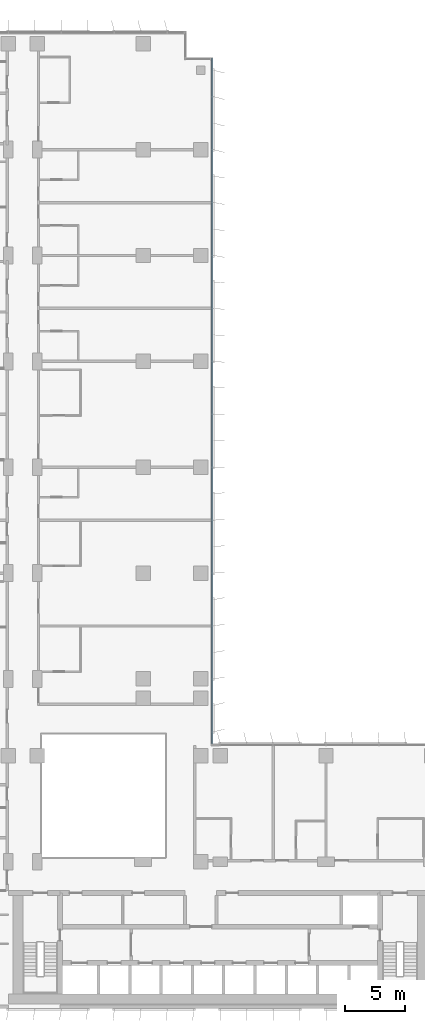
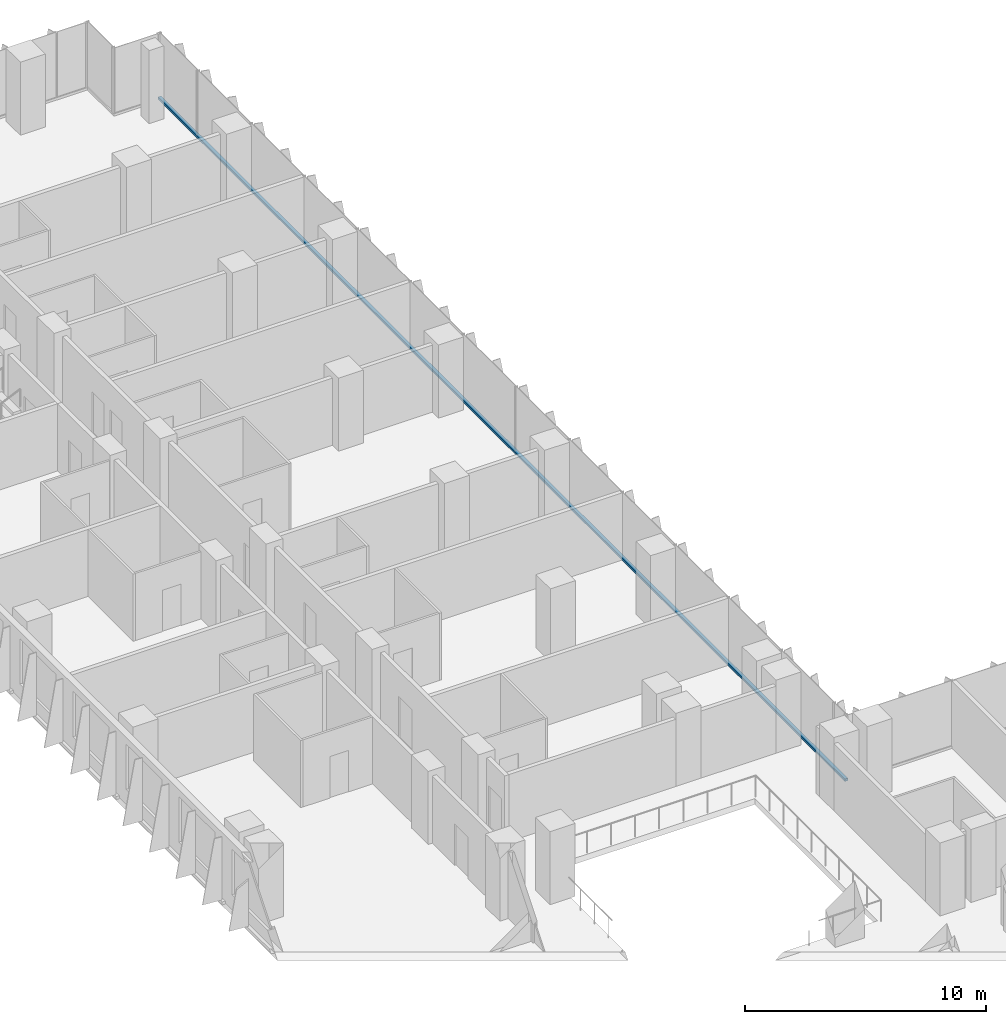
# One storey, part 6 of 22: 1 member, 1 element without a shape of its own.
"""IFC4 building model written with IfcOpenShell, lengths in metres."""

from ifc_helpers import new_model, si_unit, direction, frame, origin, origin_2d, place, context, subcontext, project, spatial, rectangle, extrude, material, material_profile, profile_set, type_object, element, aggregate, save


model = new_model("IFC4")

# Units and contexts
model_context = context("Model", 3, precision=1e-05, world=origin(), true_north=direction((0.0, 1.0)))
body_context = subcontext(model_context, "Body", "Model", "MODEL_VIEW")
ifc_project = project(units=[si_unit("LENGTHUNIT", "METRE"), si_unit("AREAUNIT", "SQUARE_METRE"), si_unit("VOLUMEUNIT", "CUBIC_METRE"), si_unit("PLANEANGLEUNIT", "RADIAN"), si_unit("MASSUNIT", "GRAM", prefix="KILO")], contexts=[model_context])

# Site, building, storey
site_placement = place(None, origin())
site = spatial("IfcSite", under=ifc_project, at=site_placement, CompositionType="ELEMENT")
building_placement = place(site_placement, origin())
building = spatial("IfcBuilding", under=site, at=building_placement, Name="Kemantara Hotel Tower", CompositionType="ELEMENT")
storey_placement = place(building_placement, frame((0.0, 0.0, 90.800048828125)))
storey = spatial("IfcBuildingStorey", under=building, at=storey_placement, Name="L21", CompositionType="ELEMENT", Elevation=90.800048828125)

# Curtain wall, member
ifc_material_1 = material(Name="Low-E tinted double insulated glass 36 mm", Category="glass")
curtain_wall_type = type_object("IfcCurtainWallType", Name="TOWER CURTAIN WALL, FRONT FACES", PredefinedType="USERDEFINED", material=ifc_material_1)
curtain_wall_placement = place(storey_placement, origin())
curtain_wall = element("IfcCurtainWall", 1, at=curtain_wall_placement, inside=storey, type_object=curtain_wall_type, Name="CW4 L21 T2-R14-1", ObjectType="TOWER CURTAIN WALL, FRONT FACES", PredefinedType="USERDEFINED")
ifc_material_2 = material(Name="Aluminium 6063-T6 bronze anodised", Category="aluminium")
ifc_material_profile = material_profile(ifc_material_2, rectangle(XDim=0.14990234375, YDim=0.1201171875, at=origin_2d()), Name="TOWER CURTAIN WALL, FRONT FACES TRANSOM")
ifc_profile_set = profile_set([ifc_material_profile], Name="Aluminium 6063-T6 bronze anodised")
member_type = type_object("IfcMemberType", Name="TOWER CURTAIN WALL, FRONT FACES TRANSOM", PredefinedType="USERDEFINED", material=ifc_profile_set)
member_placement = place(storey_placement, frame((26.72509765625, 22.0, 0.06005859375), z_axis=(0.0, 1.0, 0.0), x_axis=(-1.0, 0.0, 0.0)))
member = element("IfcMember", 2, at=member_placement, type_object=member_type, Name="CW4 sill transom T2-R14-1", ObjectType="TRANSOM", PredefinedType="USERDEFINED", context=body_context, shape_type="SweptSolid", body=[
    extrude(rectangle(XDim=0.14990234375, YDim=0.1201171875, at=origin_2d()), origin(), (0.0, 0.0, 1.0), 57.0),
])
aggregate(curtain_wall, [member])

save(model, "model.ifc")
